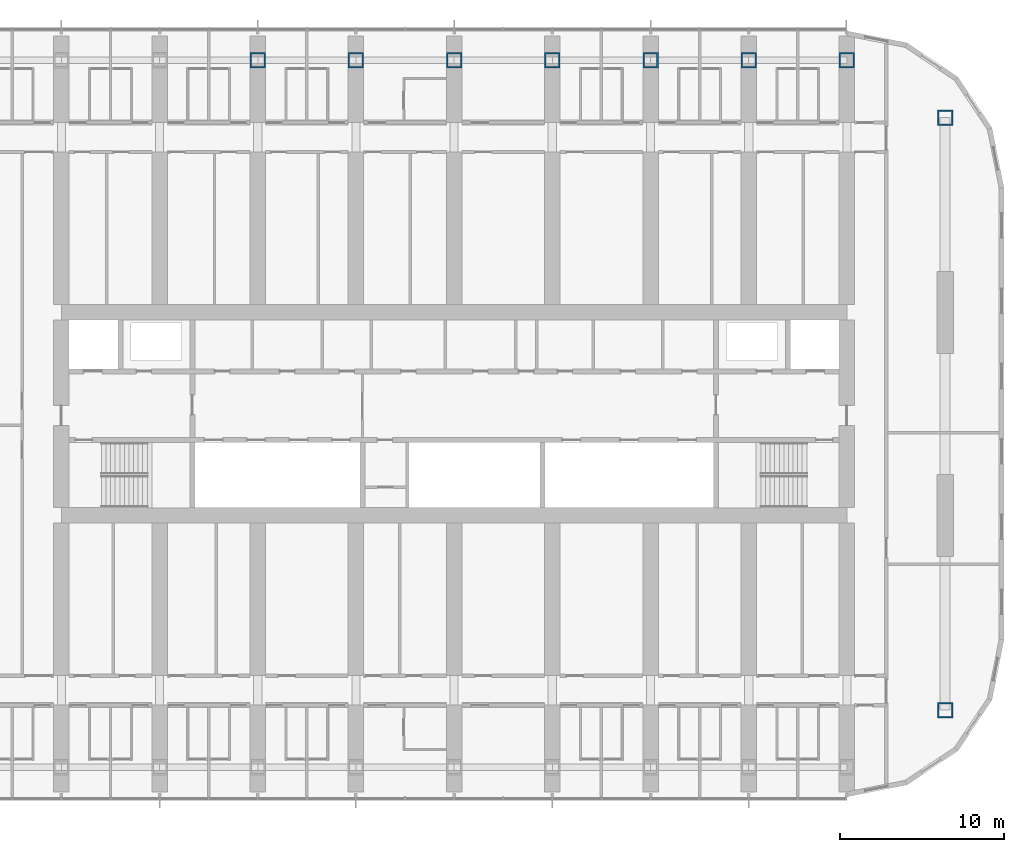
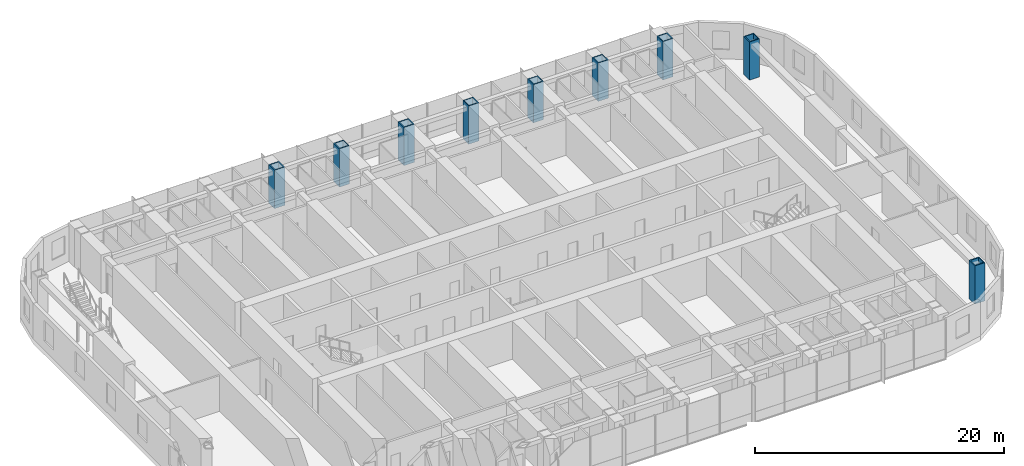
# One storey, part 3 of 26: 9 columns.
"""IFC4 building model written with IfcOpenShell, lengths in metres."""

from ifc_helpers import new_model, si_unit, direction, frame, origin, origin_2d, place, context, subcontext, project, spatial, hollow_rectangle, extrude, material, material_profile, profile_set, type_object, element, save


model = new_model("IFC4")

# Units and contexts
model_context = context("Model", 3, precision=1e-05, world=origin(), true_north=direction((0.0, 1.0)))
body_context = subcontext(model_context, "Body", "Model", "MODEL_VIEW")
ifc_project = project(units=[si_unit("LENGTHUNIT", "METRE"), si_unit("AREAUNIT", "SQUARE_METRE"), si_unit("VOLUMEUNIT", "CUBIC_METRE"), si_unit("PLANEANGLEUNIT", "RADIAN"), si_unit("MASSUNIT", "GRAM", prefix="KILO")], contexts=[model_context])

# Site, building, storey
site_placement = place(None, origin())
site = spatial("IfcSite", under=ifc_project, at=site_placement, CompositionType="ELEMENT")
building_placement = place(site_placement, origin())
building = spatial("IfcBuilding", under=site, at=building_placement, Name="Orbita Commons", CompositionType="ELEMENT")
storey_placement = place(building_placement, frame((0.0, 0.0, 114.39990234375)))
storey = spatial("IfcBuildingStorey", under=building, at=storey_placement, Name="L28", CompositionType="ELEMENT", Elevation=114.39990234375)

# Columns
ifc_material = material(Name="Steel ASTM A572 Gr 50 welded plate", Category="steel")
ifc_material_profile = material_profile(ifc_material, hollow_rectangle(XDim=0.949951171875, YDim=0.949951171875, WallThickness=0.094970703125, at=origin_2d()), Name="BOX 950x950x95")
ifc_profile_set = profile_set([ifc_material_profile], Name="Steel ASTM A572 Gr 50 welded plate")
column_type = type_object("IfcColumnType", Name="Steel column BOX 950x950x95", PredefinedType="COLUMN", material=ifc_profile_set)
for number, where, z_axis, x_axis, name in (
    (1, (30.0, 53.60009765625, 0.0), (0.0, 0.0, 1.0), (1.0, 0.0, 0.0), "Column 6/E L28"),
    (2, (36.0, 53.60009765625, 0.0), (0.0, 0.0, 1.0), (1.0, 0.0, 0.0), "Column 7/E L28"),
    (3, (42.0, 53.60009765625, 0.0), (0.0, 0.0, 1.0), (1.0, 0.0, 0.0), "Column 8/E L28"),
    (4, (48.0, 53.60009765625, 0.0), (0.0, 0.0, 1.0), (1.0, 0.0, 0.0), "Column 9/E L28"),
    (5, (54.0, 53.60009765625, 0.0), (0.0, 0.0, 1.0), (1.0, 0.0, 0.0), "Column 10/E L28"),
    (6, (60.0, 53.60009765625, 0.0), (0.0, 0.0, 1.0), (1.0, 0.0, 0.0), "Column 11/E L28"),
    (7, (66.0, 53.60009765625, 0.0), (0.0, 0.0, 1.0), (1.0, 0.0, 0.0), "Column 12/E L28"),
    (8, (72.0, 13.89990234375, 0.0), (0.0, 0.0, 1.0), (1.0, 0.0, 0.0), "Column 13/13.9 L28"),
    (9, (72.0, 50.10009765625, 0.0), (0.0, 0.0, 1.0), (1.0, 0.0, 0.0), "Column 13/50.1 L28"),
):
    element("IfcColumn", number, at=place(storey_placement, frame(where, z_axis=z_axis, x_axis=x_axis)), inside=storey, type_object=column_type, Name=name, PredefinedType="COLUMN", context=body_context, shape_type="SweptSolid", body=[
        extrude(hollow_rectangle(XDim=0.949951171875, YDim=0.949951171875, WallThickness=0.094970703125, at=origin_2d()), origin(), (0.0, 0.0, 1.0), 3.75),
    ])

save(model, "model.ifc")
